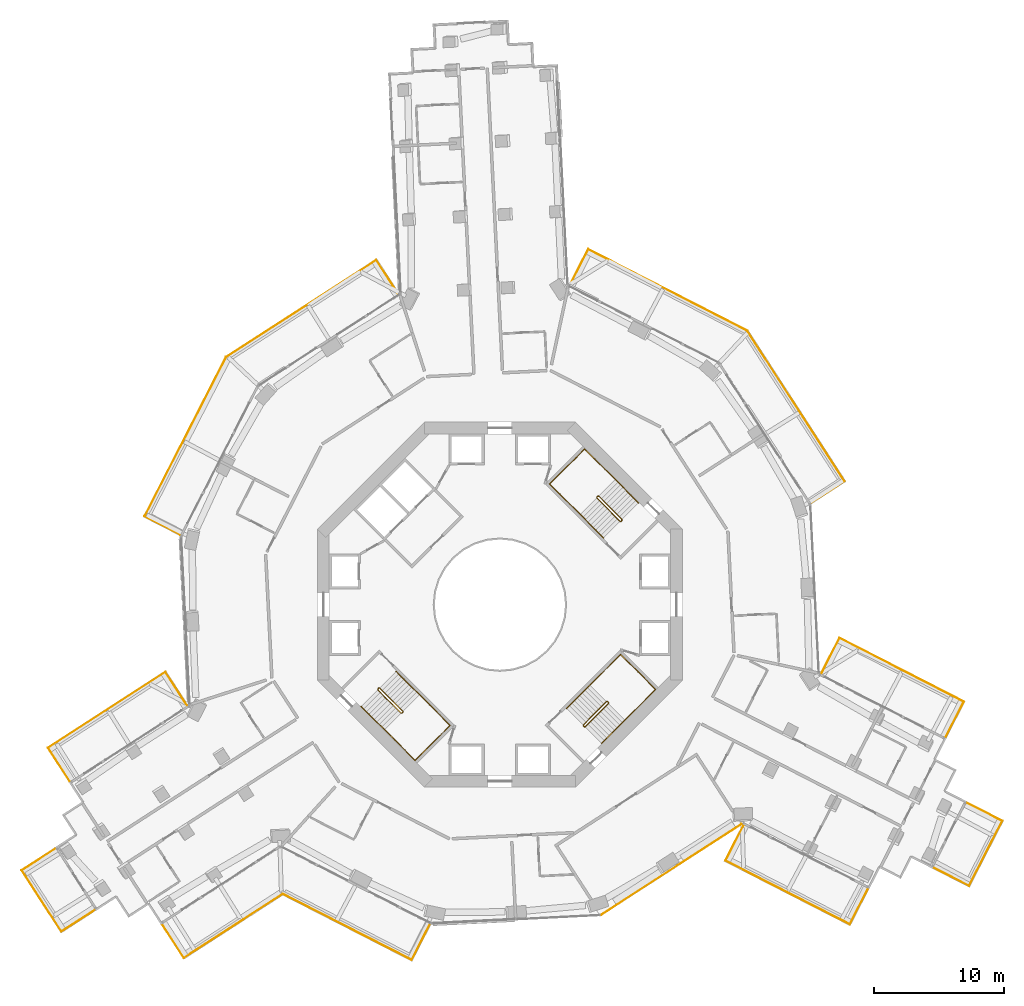
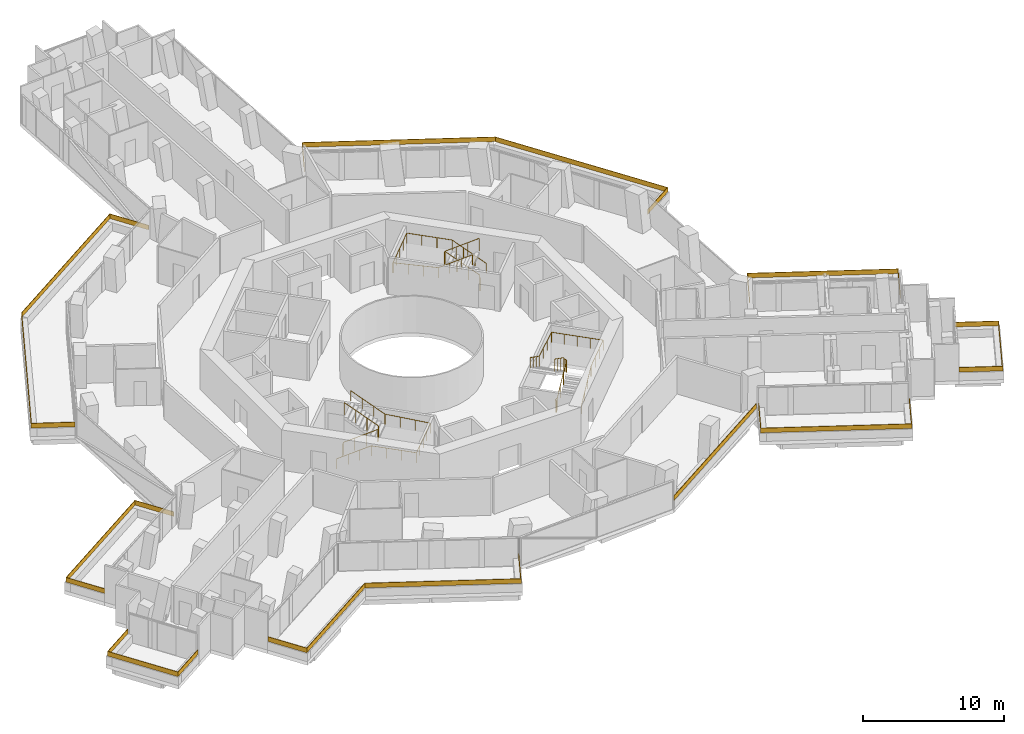
# One storey, part 25 of 25: 15 railings.
"""IFC4 building model written with IfcOpenShell, lengths in metres."""

from ifc_helpers import new_model, si_unit, direction, frame, origin, origin_2d, place, context, subcontext, project, spatial, polyline, rectangle, circle, outline, extrude, material, layer, layer_set, type_object, element, save


model = new_model("IFC4")

# Units and contexts
model_context = context("Model", 3, precision=1e-05, world=origin(), true_north=direction((0.0, 1.0)))
body_context = subcontext(model_context, "Body", "Model", "MODEL_VIEW")
ifc_project = project(units=[si_unit("LENGTHUNIT", "METRE"), si_unit("AREAUNIT", "SQUARE_METRE"), si_unit("VOLUMEUNIT", "CUBIC_METRE"), si_unit("PLANEANGLEUNIT", "RADIAN"), si_unit("MASSUNIT", "GRAM", prefix="KILO")], contexts=[model_context])

# Site, building, storey
site_placement = place(None, origin())
site = spatial("IfcSite", under=ifc_project, at=site_placement, CompositionType="ELEMENT")
building_placement = place(site_placement, origin())
building = spatial("IfcBuilding", under=site, at=building_placement, Name="Verdalira Terraces Hotel", CompositionType="ELEMENT")
storey_placement = place(building_placement, frame((0.0, 0.0, 46.0)))
storey = spatial("IfcBuildingStorey", under=building, at=storey_placement, Name="L09", CompositionType="ELEMENT", Elevation=46.0)

# Railings
ifc_material_1 = material(Name="Laminated glass", Category="glass")
ifc_layer = layer(ifc_material_1, 0.0400390625)
ifc_layer_set = layer_set([ifc_layer], Name="Balcony glass guard 400")
railing_type_1 = type_object("IfcRailingType", Name="Balcony glass guard 400", PredefinedType="GUARDRAIL", material=ifc_layer_set)
railing_1_placement = place(storey_placement, frame((0.0, 0.0, 0.699951)))
element("IfcRailing", 1, at=railing_1_placement, inside=storey, type_object=railing_type_1, Name="Balcony glass guard", PredefinedType="GUARDRAIL", context=body_context, shape_type="SweptSolid", body=[
    extrude(outline(polyline([(-9.483398, 26.422607), (-20.993408, 18.982178), (-27.240967, 6.783691), (-24.500488, 5.380127), (-24.518799, 5.344727), (-27.294678, 6.766357), (-21.023926, 19.01001), (-9.47168, 26.477783), (-7.77832, 23.858398), (-7.812012, 23.836914), (-9.483398, 26.422607)])), origin(), (0.0, 0.0, 1.0), 0.400146),
])
railing_2_placement = place(storey_placement, frame((0.0, 0.0, 0.699951)))
element("IfcRailing", 2, at=railing_2_placement, inside=storey, type_object=railing_type_1, Name="Balcony glass guard", PredefinedType="GUARDRAIL", context=body_context, shape_type="SweptSolid", body=[
    extrude(outline(polyline([(-25.674072, -5.189209), (-34.643311, -10.987305), (-32.97168, -13.572998), (-33.005371, -13.594727), (-34.698486, -10.975342), (-25.662109, -5.133789), (-23.96875, -7.753174), (-24.002441, -7.774902), (-25.674072, -5.189209)])), origin(), (0.0, 0.0, 1.0), 0.400146),
])
railing_3_placement = place(storey_placement, frame((0.0, 0.0, 0.699951)))
element("IfcRailing", 3, at=railing_3_placement, inside=storey, type_object=railing_type_1, Name="Balcony glass guard", PredefinedType="GUARDRAIL", context=body_context, shape_type="SweptSolid", body=[
    extrude(outline(polyline([(-36.662354, -20.389648), (-33.644043, -25.058838), (-31.058105, -23.387451), (-31.036377, -23.420898), (-33.655762, -25.114258), (-36.717773, -20.377686), (-34.098389, -18.684326), (-34.07666, -18.718018), (-36.662354, -20.389648)])), origin(), (0.0, 0.0, 1.0), 0.400146),
])
railing_4_placement = place(storey_placement, frame((0.0, 0.0, 0.699951)))
element("IfcRailing", 4, at=railing_4_placement, inside=storey, type_object=railing_type_1, Name="Balcony glass guard", PredefinedType="GUARDRAIL", context=body_context, shape_type="SweptSolid", body=[
    extrude(outline(polyline([(-24.241699, -27.077881), (-16.665039, -22.180176), (-6.783691, -27.240967), (-5.380127, -24.500488), (-5.344727, -24.518799), (-6.766357, -27.294678), (-16.662598, -22.226318), (-24.253662, -27.133301), (-25.946777, -24.513916), (-25.913086, -24.492188), (-24.241699, -27.077881)])), origin(), (0.0, 0.0, 1.0), 0.400146),
])
railing_5_placement = place(storey_placement, frame((0.0, 0.0, 0.699951)))
element("IfcRailing", 5, at=railing_5_placement, inside=storey, type_object=railing_type_1, Name="Balcony glass guard", PredefinedType="GUARDRAIL", context=body_context, shape_type="SweptSolid", body=[
    extrude(outline(polyline([(17.330811, -19.639648), (26.836914, -24.508301), (28.240479, -21.767822), (28.276123, -21.786133), (26.854248, -24.562256), (17.2771, -19.656982), (18.698975, -16.881104), (18.734619, -16.89917), (17.330811, -19.639648)])), origin(), (0.0, 0.0, 1.0), 0.400146),
])
railing_6_placement = place(storey_placement, frame((0.0, 0.0, 0.699951)))
element("IfcRailing", 6, at=railing_6_placement, inside=storey, type_object=railing_type_1, Name="Balcony glass guard", PredefinedType="GUARDRAIL", context=body_context, shape_type="SweptSolid", body=[
    extrude(outline(polyline([(35.989014, -21.555908), (38.523682, -16.607178), (35.783203, -15.203613), (35.80127, -15.167969), (38.577393, -16.589844), (36.006348, -21.609619), (33.230225, -20.187744), (33.248535, -20.1521), (35.989014, -21.555908)])), origin(), (0.0, 0.0, 1.0), 0.400146),
])
railing_7_placement = place(storey_placement, frame((0.0, 0.0, 0.699951)))
element("IfcRailing", 7, at=railing_7_placement, inside=storey, type_object=railing_type_1, Name="Balcony glass guard", PredefinedType="GUARDRAIL", context=body_context, shape_type="SweptSolid", body=[
    extrude(outline(polyline([(35.571045, -7.454834), (26.065186, -2.586182), (24.661621, -5.32666), (24.625977, -5.308594), (26.047852, -2.532471), (35.625, -7.4375), (34.203125, -10.213623), (34.16748, -10.195312), (35.571045, -7.454834)])), origin(), (0.0, 0.0, 1.0), 0.400146),
])
railing_8_placement = place(storey_placement, frame((0.0, 0.0, 0.699951)))
element("IfcRailing", 8, at=railing_8_placement, inside=storey, type_object=railing_type_1, Name="Balcony glass guard", PredefinedType="GUARDRAIL", context=body_context, shape_type="SweptSolid", body=[
    extrude(outline(polyline([(26.422607, 9.483398), (18.982178, 20.993408), (6.783691, 27.240967), (5.380127, 24.500488), (5.344727, 24.518799), (6.766357, 27.294678), (19.01001, 21.023926), (26.477783, 9.47168), (23.858398, 7.77832), (23.836914, 7.812012), (26.422607, 9.483398)])), origin(), (0.0, 0.0, 1.0), 0.400146),
])
railing_9_placement = place(storey_placement, frame((13.142334, -20.330322, 0.699951), z_axis=(0.0, 0.0, 1.0), x_axis=(0.839809417, 0.542881334, 0.0)))
element("IfcRailing", 9, at=railing_9_placement, inside=storey, type_object=railing_type_1, Name="Loggia glass guard", PredefinedType="GUARDRAIL", context=body_context, shape_type="SweptSolid", body=[
    extrude(rectangle(XDim=12.840088, YDim=0.040039, at=origin_2d()), origin(), (0.0, 0.0, 1.0), 0.399902),
])
ifc_material_2 = material(Name="Stainless steel", Category="steel")
railing_type_2 = type_object("IfcRailingType", Name="Stair guard 1100", PredefinedType="GUARDRAIL", material=ifc_material_2)
railing_10_placement = place(storey_placement, frame((9.369141, 6.469971, 0.0)))
element("IfcRailing", 10, at=railing_10_placement, inside=storey, type_object=railing_type_2, Name="L09 ST1 stair guard 1", PredefinedType="GUARDRAIL", context=body_context, shape_type="SweptSolid", body=[
    extrude(circle(Radius=0.023926, at=origin_2d()), frame((0.0, 0.0, 1.076172), z_axis=(-0.70832698, -0.705884473, 0.0), x_axis=(0.705884473, -0.70832698, 0.0)), (0.0, 0.0, 1.0), 0.099854),
    extrude(circle(Radius=0.023926, at=origin_2d()), frame((-0.070801, -0.070557, 1.076172), z_axis=(0.300162975, 0.599290904, 0.742127078), x_axis=(-0.894118129, 0.447831187, 0.0)), (0.0, 0.0, 1.0), 0.23584),
    extrude(circle(Radius=0.023926, at=origin_2d()), frame((0.0, 0.070801, 1.250977), z_axis=(-0.599637504, 0.599637504, 0.52997144), x_axis=(-0.707106781, -0.707106781, 0.0)), (0.0, 0.0, 1.0), 2.97168),
    extrude(circle(Radius=0.023926, at=origin_2d()), frame((-1.781982, 1.852783, 2.826172), z_axis=(-1.0, 0.0, 0.0), x_axis=(0.0, -1.0, 0.0)), (0.0, 0.0, 1.0), 0.070557),
    extrude(circle(Radius=0.023926, at=origin_2d()), frame((-1.852539, 1.852783, 2.826172), z_axis=(-0.707106781, -0.707106781, 0.0), x_axis=(0.707106781, -0.707106781, 0.0)), (0.0, 0.0, 1.0), 0.100098),
    extrude(circle(Radius=0.023926, at=origin_2d()), frame((-1.92334, 1.781982, 2.826172), z_axis=(0.0, -0.374954687, 0.92704314), x_axis=(1.0, 0.0, 0.0)), (0.0, 0.0, 1.0), 0.188721),
    extrude(circle(Radius=0.023926, at=origin_2d()), frame((-1.92334, 1.711182, 3.000977), z_axis=(0.599667044, -0.599584886, 0.529997548), x_axis=(0.707058338, 0.707155221, 0.0)), (0.0, 0.0, 1.0), 2.97168),
    extrude(circle(Radius=0.020996, at=origin_2d()), origin(), (0.0, 0.0, 1.0), 1.052002),
    extrude(circle(Radius=0.020996, at=origin_2d()), frame((-0.070801, -0.070557, 0.0)), (0.0, 0.0, 1.0), 1.052002),
    extrude(circle(Radius=0.020996, at=origin_2d()), frame((0.0, 0.070801, 0.175049)), (0.0, 0.0, 1.0), 1.052002),
    extrude(circle(Radius=0.020996, at=origin_2d()), frame((-0.593994, 0.664795, 0.699951)), (0.0, 0.0, 1.0), 1.052002),
    extrude(circle(Radius=0.020996, at=origin_2d()), frame((-1.187988, 1.258789, 1.225098)), (0.0, 0.0, 1.0), 1.052002),
    extrude(circle(Radius=0.020996, at=origin_2d()), frame((-1.781982, 1.852783, 1.75)), (0.0, 0.0, 1.0), 1.052002),
    extrude(circle(Radius=0.020996, at=origin_2d()), frame((-1.852539, 1.852783, 1.75)), (0.0, 0.0, 1.0), 1.052002),
    extrude(circle(Radius=0.020996, at=origin_2d()), frame((-1.92334, 1.781982, 1.75)), (0.0, 0.0, 1.0), 1.052002),
    extrude(circle(Radius=0.020996, at=origin_2d()), frame((-1.92334, 1.711182, 1.925049)), (0.0, 0.0, 1.0), 1.052002),
    extrude(circle(Radius=0.020996, at=origin_2d()), frame((-1.329346, 1.117188, 2.449951)), (0.0, 0.0, 1.0), 1.052002),
    extrude(circle(Radius=0.020996, at=origin_2d()), frame((-0.735352, 0.523438, 2.975098)), (0.0, 0.0, 1.0), 1.052002),
    extrude(circle(Radius=0.020996, at=origin_2d()), frame((-0.141357, -0.070557, 3.5)), (0.0, 0.0, 1.0), 1.052002),
])
railing_11_placement = place(storey_placement, frame((-9.369141, -6.469971, 0.0)))
element("IfcRailing", 11, at=railing_11_placement, inside=storey, type_object=railing_type_2, Name="L09 ST2 stair guard 1", PredefinedType="GUARDRAIL", context=body_context, shape_type="SweptSolid", body=[
    extrude(circle(Radius=0.023926, at=origin_2d()), frame((0.0, 0.0, 1.076172), z_axis=(0.70832698, 0.705884473, 0.0), x_axis=(-0.705884473, 0.70832698, 0.0)), (0.0, 0.0, 1.0), 0.099854),
    extrude(circle(Radius=0.023926, at=origin_2d()), frame((0.070801, 0.070557, 1.076172), z_axis=(-0.300162975, -0.599290904, 0.742127078), x_axis=(0.894118129, -0.447831187, 0.0)), (0.0, 0.0, 1.0), 0.23584),
    extrude(circle(Radius=0.023926, at=origin_2d()), frame((0.0, -0.070801, 1.250977), z_axis=(0.599637504, -0.599637504, 0.52997144), x_axis=(0.707106781, 0.707106781, 0.0)), (0.0, 0.0, 1.0), 2.97168),
    extrude(circle(Radius=0.023926, at=origin_2d()), frame((1.781982, -1.852783, 2.826172), z_axis=(1.0, 0.0, 0.0), x_axis=(0.0, 1.0, 0.0)), (0.0, 0.0, 1.0), 0.070557),
    extrude(circle(Radius=0.023926, at=origin_2d()), frame((1.852539, -1.852783, 2.826172), z_axis=(0.707106781, 0.707106781, 0.0), x_axis=(-0.707106781, 0.707106781, 0.0)), (0.0, 0.0, 1.0), 0.100098),
    extrude(circle(Radius=0.023926, at=origin_2d()), frame((1.92334, -1.781982, 2.826172), z_axis=(0.0, 0.374954687, 0.92704314), x_axis=(-1.0, 0.0, 0.0)), (0.0, 0.0, 1.0), 0.188721),
    extrude(circle(Radius=0.023926, at=origin_2d()), frame((1.92334, -1.711182, 3.000977), z_axis=(-0.599667044, 0.599584886, 0.529997548), x_axis=(-0.707058338, -0.707155221, 0.0)), (0.0, 0.0, 1.0), 2.97168),
    extrude(circle(Radius=0.020996, at=origin_2d()), origin(), (0.0, 0.0, 1.0), 1.052002),
    extrude(circle(Radius=0.020996, at=origin_2d()), frame((0.070801, 0.070557, 0.0)), (0.0, 0.0, 1.0), 1.052002),
    extrude(circle(Radius=0.020996, at=origin_2d()), frame((0.0, -0.070801, 0.175049)), (0.0, 0.0, 1.0), 1.052002),
    extrude(circle(Radius=0.020996, at=origin_2d()), frame((0.593994, -0.664795, 0.699951)), (0.0, 0.0, 1.0), 1.052002),
    extrude(circle(Radius=0.020996, at=origin_2d()), frame((1.187988, -1.258789, 1.225098)), (0.0, 0.0, 1.0), 1.052002),
    extrude(circle(Radius=0.020996, at=origin_2d()), frame((1.781982, -1.852783, 1.75)), (0.0, 0.0, 1.0), 1.052002),
    extrude(circle(Radius=0.020996, at=origin_2d()), frame((1.852539, -1.852783, 1.75)), (0.0, 0.0, 1.0), 1.052002),
    extrude(circle(Radius=0.020996, at=origin_2d()), frame((1.92334, -1.781982, 1.75)), (0.0, 0.0, 1.0), 1.052002),
    extrude(circle(Radius=0.020996, at=origin_2d()), frame((1.92334, -1.711182, 1.925049)), (0.0, 0.0, 1.0), 1.052002),
    extrude(circle(Radius=0.020996, at=origin_2d()), frame((1.329346, -1.117188, 2.449951)), (0.0, 0.0, 1.0), 1.052002),
    extrude(circle(Radius=0.020996, at=origin_2d()), frame((0.735352, -0.523438, 2.975098)), (0.0, 0.0, 1.0), 1.052002),
    extrude(circle(Radius=0.020996, at=origin_2d()), frame((0.141357, 0.070557, 3.5)), (0.0, 0.0, 1.0), 1.052002),
])
railing_12_placement = place(storey_placement, frame((6.469971, -9.369141, 0.0)))
element("IfcRailing", 12, at=railing_12_placement, inside=storey, type_object=railing_type_2, Name="L09 ST3 stair guard 1", PredefinedType="GUARDRAIL", context=body_context, shape_type="SweptSolid", body=[
    extrude(circle(Radius=0.023926, at=origin_2d()), frame((0.0, 0.0, 1.076172), z_axis=(-0.705884473, 0.70832698, 0.0), x_axis=(-0.70832698, -0.705884473, 0.0)), (0.0, 0.0, 1.0), 0.099854),
    extrude(circle(Radius=0.023926, at=origin_2d()), frame((-0.070557, 0.070801, 1.076172), z_axis=(0.599290904, -0.300162975, 0.742127078), x_axis=(0.447831187, 0.894118129, 0.0)), (0.0, 0.0, 1.0), 0.23584),
    extrude(circle(Radius=0.023926, at=origin_2d()), frame((0.070801, 0.0, 1.250977), z_axis=(0.599637504, 0.599637504, 0.52997144), x_axis=(-0.707106781, 0.707106781, 0.0)), (0.0, 0.0, 1.0), 2.97168),
    extrude(circle(Radius=0.023926, at=origin_2d()), frame((1.852783, 1.781982, 2.826172), z_axis=(0.0, 1.0, 0.0), x_axis=(-1.0, 0.0, 0.0)), (0.0, 0.0, 1.0), 0.070557),
    extrude(circle(Radius=0.023926, at=origin_2d()), frame((1.852783, 1.852539, 2.826172), z_axis=(-0.707106781, 0.707106781, 0.0), x_axis=(-0.707106781, -0.707106781, 0.0)), (0.0, 0.0, 1.0), 0.100098),
    extrude(circle(Radius=0.023926, at=origin_2d()), frame((1.781982, 1.92334, 2.826172), z_axis=(-0.374954687, 0.0, 0.92704314), x_axis=(0.0, -1.0, 0.0)), (0.0, 0.0, 1.0), 0.188721),
    extrude(circle(Radius=0.023926, at=origin_2d()), frame((1.711182, 1.92334, 3.000977), z_axis=(-0.599584886, -0.599667044, 0.529997548), x_axis=(0.707155221, -0.707058338, 0.0)), (0.0, 0.0, 1.0), 2.97168),
    extrude(circle(Radius=0.020996, at=origin_2d()), origin(), (0.0, 0.0, 1.0), 1.052002),
    extrude(circle(Radius=0.020996, at=origin_2d()), frame((-0.070557, 0.070801, 0.0)), (0.0, 0.0, 1.0), 1.052002),
    extrude(circle(Radius=0.020996, at=origin_2d()), frame((0.070801, 0.0, 0.175049)), (0.0, 0.0, 1.0), 1.052002),
    extrude(circle(Radius=0.020996, at=origin_2d()), frame((0.664795, 0.593994, 0.699951)), (0.0, 0.0, 1.0), 1.052002),
    extrude(circle(Radius=0.020996, at=origin_2d()), frame((1.258789, 1.187988, 1.225098)), (0.0, 0.0, 1.0), 1.052002),
    extrude(circle(Radius=0.020996, at=origin_2d()), frame((1.852783, 1.781982, 1.75)), (0.0, 0.0, 1.0), 1.052002),
    extrude(circle(Radius=0.020996, at=origin_2d()), frame((1.852783, 1.852539, 1.75)), (0.0, 0.0, 1.0), 1.052002),
    extrude(circle(Radius=0.020996, at=origin_2d()), frame((1.781982, 1.92334, 1.75)), (0.0, 0.0, 1.0), 1.052002),
    extrude(circle(Radius=0.020996, at=origin_2d()), frame((1.711182, 1.92334, 1.925049)), (0.0, 0.0, 1.0), 1.052002),
    extrude(circle(Radius=0.020996, at=origin_2d()), frame((1.117188, 1.329346, 2.449951)), (0.0, 0.0, 1.0), 1.052002),
    extrude(circle(Radius=0.020996, at=origin_2d()), frame((0.523438, 0.735352, 2.975098)), (0.0, 0.0, 1.0), 1.052002),
    extrude(circle(Radius=0.020996, at=origin_2d()), frame((-0.070557, 0.141357, 3.5)), (0.0, 0.0, 1.0), 1.052002),
])
ifc_material_3 = material(Name="Stainless steel", Category="steel")
railing_type_3 = type_object("IfcRailingType", Name="Stair handrail 900", PredefinedType="HANDRAIL", material=ifc_material_3)
railing_13_placement = place(storey_placement, frame((10.641846, 7.813477, 0.175049)))
element("IfcRailing", 13, at=railing_13_placement, inside=storey, type_object=railing_type_3, Name="L09 ST1 stair handrail 1", PredefinedType="HANDRAIL", context=body_context, shape_type="SweptSolid", body=[
    extrude(circle(Radius=0.023926, at=origin_2d()), frame((0.0, 0.0, 0.875977), z_axis=(-0.599584886, 0.599667044, 0.529997548), x_axis=(-0.707155221, -0.707058338, 0.0)), (0.0, 0.0, 1.0), 2.97168),
    extrude(circle(Radius=0.023926, at=origin_2d()), frame((-1.781738, 1.781982, 2.450684), z_axis=(-0.707106781, 0.707106781, 0.0), x_axis=(-0.707106781, -0.707106781, 0.0)), (0.0, 0.0, 1.0), 3.330078),
    extrude(circle(Radius=0.023926, at=origin_2d()), frame((-4.136475, 4.136719, 2.450684), z_axis=(-0.707106781, -0.707106781, 0.0), x_axis=(0.707106781, -0.707106781, 0.0)), (0.0, 0.0, 1.0), 3.800049),
    extrude(circle(Radius=0.023926, at=origin_2d()), frame((-6.823486, 1.449707, 2.450684), z_axis=(0.706131881, -0.706131881, 0.052493163), x_axis=(0.707106781, 0.707106781, 0.0)), (0.0, 0.0, 1.0), 3.334717),
    extrude(circle(Radius=0.023926, at=origin_2d()), frame((-4.46875, -0.905029, 2.625977), z_axis=(0.599584886, -0.599667044, 0.529997548), x_axis=(0.707155221, 0.707058338, 0.0)), (0.0, 0.0, 1.0), 2.97168),
    extrude(circle(Radius=0.020996, at=origin_2d()), origin(), (0.0, 0.0, 1.0), 0.851807),
    extrude(circle(Radius=0.020996, at=origin_2d()), frame((-0.593994, 0.593994, 0.524902)), (0.0, 0.0, 1.0), 0.851807),
    extrude(circle(Radius=0.020996, at=origin_2d()), frame((-1.187744, 1.187988, 1.050049)), (0.0, 0.0, 1.0), 0.851807),
    extrude(circle(Radius=0.020996, at=origin_2d()), frame((-1.781738, 1.781982, 1.574951)), (0.0, 0.0, 1.0), 0.851807),
    extrude(circle(Radius=0.020996, at=origin_2d()), frame((-2.56665, 2.566895, 1.574951)), (0.0, 0.0, 1.0), 0.851807),
    extrude(circle(Radius=0.020996, at=origin_2d()), frame((-3.351562, 3.351807, 1.574951)), (0.0, 0.0, 1.0), 0.851807),
    extrude(circle(Radius=0.020996, at=origin_2d()), frame((-4.136475, 4.136719, 1.574951)), (0.0, 0.0, 1.0), 0.851807),
    extrude(circle(Radius=0.020996, at=origin_2d()), frame((-4.808105, 3.464844, 1.574951)), (0.0, 0.0, 1.0), 0.851807),
    extrude(circle(Radius=0.020996, at=origin_2d()), frame((-5.47998, 2.793213, 1.574951)), (0.0, 0.0, 1.0), 0.851807),
    extrude(circle(Radius=0.020996, at=origin_2d()), frame((-6.151855, 2.121582, 1.574951)), (0.0, 0.0, 1.0), 0.851807),
    extrude(circle(Radius=0.020996, at=origin_2d()), frame((-6.823486, 1.449707, 1.574951)), (0.0, 0.0, 1.0), 0.851807),
    extrude(circle(Radius=0.020996, at=origin_2d()), frame((-6.038574, 0.664795, 1.633301)), (0.0, 0.0, 1.0), 0.851807),
    extrude(circle(Radius=0.020996, at=origin_2d()), frame((-5.253662, -0.120117, 1.69165)), (0.0, 0.0, 1.0), 0.851807),
    extrude(circle(Radius=0.020996, at=origin_2d()), frame((-4.46875, -0.905029, 1.75)), (0.0, 0.0, 1.0), 0.851807),
    extrude(circle(Radius=0.020996, at=origin_2d()), frame((-3.874756, -1.499023, 2.274902)), (0.0, 0.0, 1.0), 0.851807),
    extrude(circle(Radius=0.020996, at=origin_2d()), frame((-3.281006, -2.093018, 2.800049)), (0.0, 0.0, 1.0), 0.851807),
    extrude(circle(Radius=0.020996, at=origin_2d()), frame((-2.687012, -2.687012, 3.324951)), (0.0, 0.0, 1.0), 0.851807),
])
railing_14_placement = place(storey_placement, frame((-10.641846, -7.813477, 0.175049)))
element("IfcRailing", 14, at=railing_14_placement, inside=storey, type_object=railing_type_3, Name="L09 ST2 stair handrail 1", PredefinedType="HANDRAIL", context=body_context, shape_type="SweptSolid", body=[
    extrude(circle(Radius=0.023926, at=origin_2d()), frame((0.0, 0.0, 0.875977), z_axis=(0.599584886, -0.599667044, 0.529997548), x_axis=(0.707155221, 0.707058338, 0.0)), (0.0, 0.0, 1.0), 2.97168),
    extrude(circle(Radius=0.023926, at=origin_2d()), frame((1.781738, -1.781982, 2.450684), z_axis=(0.707106781, -0.707106781, 0.0), x_axis=(0.707106781, 0.707106781, 0.0)), (0.0, 0.0, 1.0), 3.330078),
    extrude(circle(Radius=0.023926, at=origin_2d()), frame((4.136475, -4.136719, 2.450684), z_axis=(0.707106781, 0.707106781, 0.0), x_axis=(-0.707106781, 0.707106781, 0.0)), (0.0, 0.0, 1.0), 3.800049),
    extrude(circle(Radius=0.023926, at=origin_2d()), frame((6.823486, -1.449707, 2.450684), z_axis=(-0.706131881, 0.706131881, 0.052493163), x_axis=(-0.707106781, -0.707106781, 0.0)), (0.0, 0.0, 1.0), 3.334717),
    extrude(circle(Radius=0.023926, at=origin_2d()), frame((4.46875, 0.905029, 2.625977), z_axis=(-0.599584886, 0.599667044, 0.529997548), x_axis=(-0.707155221, -0.707058338, 0.0)), (0.0, 0.0, 1.0), 2.97168),
    extrude(circle(Radius=0.020996, at=origin_2d()), origin(), (0.0, 0.0, 1.0), 0.851807),
    extrude(circle(Radius=0.020996, at=origin_2d()), frame((0.593994, -0.593994, 0.524902)), (0.0, 0.0, 1.0), 0.851807),
    extrude(circle(Radius=0.020996, at=origin_2d()), frame((1.187744, -1.187988, 1.050049)), (0.0, 0.0, 1.0), 0.851807),
    extrude(circle(Radius=0.020996, at=origin_2d()), frame((1.781738, -1.781982, 1.574951)), (0.0, 0.0, 1.0), 0.851807),
    extrude(circle(Radius=0.020996, at=origin_2d()), frame((2.56665, -2.566895, 1.574951)), (0.0, 0.0, 1.0), 0.851807),
    extrude(circle(Radius=0.020996, at=origin_2d()), frame((3.351562, -3.351807, 1.574951)), (0.0, 0.0, 1.0), 0.851807),
    extrude(circle(Radius=0.020996, at=origin_2d()), frame((4.136475, -4.136719, 1.574951)), (0.0, 0.0, 1.0), 0.851807),
    extrude(circle(Radius=0.020996, at=origin_2d()), frame((4.808105, -3.464844, 1.574951)), (0.0, 0.0, 1.0), 0.851807),
    extrude(circle(Radius=0.020996, at=origin_2d()), frame((5.47998, -2.793213, 1.574951)), (0.0, 0.0, 1.0), 0.851807),
    extrude(circle(Radius=0.020996, at=origin_2d()), frame((6.151855, -2.121582, 1.574951)), (0.0, 0.0, 1.0), 0.851807),
    extrude(circle(Radius=0.020996, at=origin_2d()), frame((6.823486, -1.449707, 1.574951)), (0.0, 0.0, 1.0), 0.851807),
    extrude(circle(Radius=0.020996, at=origin_2d()), frame((6.038574, -0.664795, 1.633301)), (0.0, 0.0, 1.0), 0.851807),
    extrude(circle(Radius=0.020996, at=origin_2d()), frame((5.253662, 0.120117, 1.69165)), (0.0, 0.0, 1.0), 0.851807),
    extrude(circle(Radius=0.020996, at=origin_2d()), frame((4.46875, 0.905029, 1.75)), (0.0, 0.0, 1.0), 0.851807),
    extrude(circle(Radius=0.020996, at=origin_2d()), frame((3.874756, 1.499023, 2.274902)), (0.0, 0.0, 1.0), 0.851807),
    extrude(circle(Radius=0.020996, at=origin_2d()), frame((3.281006, 2.093018, 2.800049)), (0.0, 0.0, 1.0), 0.851807),
    extrude(circle(Radius=0.020996, at=origin_2d()), frame((2.687012, 2.687012, 3.324951)), (0.0, 0.0, 1.0), 0.851807),
])
railing_15_placement = place(storey_placement, frame((7.813477, -10.641846, 0.175049)))
element("IfcRailing", 15, at=railing_15_placement, inside=storey, type_object=railing_type_3, Name="L09 ST3 stair handrail 1", PredefinedType="HANDRAIL", context=body_context, shape_type="SweptSolid", body=[
    extrude(circle(Radius=0.023926, at=origin_2d()), frame((0.0, 0.0, 0.875977), z_axis=(0.599667044, 0.599584886, 0.529997548), x_axis=(-0.707058338, 0.707155221, 0.0)), (0.0, 0.0, 1.0), 2.97168),
    extrude(circle(Radius=0.023926, at=origin_2d()), frame((1.781982, 1.781738, 2.450684), z_axis=(0.707106781, 0.707106781, 0.0), x_axis=(-0.707106781, 0.707106781, 0.0)), (0.0, 0.0, 1.0), 3.330078),
    extrude(circle(Radius=0.023926, at=origin_2d()), frame((4.136719, 4.136475, 2.450684), z_axis=(-0.707106781, 0.707106781, 0.0), x_axis=(-0.707106781, -0.707106781, 0.0)), (0.0, 0.0, 1.0), 3.800049),
    extrude(circle(Radius=0.023926, at=origin_2d()), frame((1.449707, 6.823486, 2.450684), z_axis=(-0.706131881, -0.706131881, 0.052493163), x_axis=(0.707106781, -0.707106781, 0.0)), (0.0, 0.0, 1.0), 3.334717),
    extrude(circle(Radius=0.023926, at=origin_2d()), frame((-0.905029, 4.46875, 2.625977), z_axis=(-0.599667044, -0.599584886, 0.529997548), x_axis=(0.707058338, -0.707155221, 0.0)), (0.0, 0.0, 1.0), 2.97168),
    extrude(circle(Radius=0.020996, at=origin_2d()), origin(), (0.0, 0.0, 1.0), 0.851807),
    extrude(circle(Radius=0.020996, at=origin_2d()), frame((0.593994, 0.593994, 0.524902)), (0.0, 0.0, 1.0), 0.851807),
    extrude(circle(Radius=0.020996, at=origin_2d()), frame((1.187988, 1.187744, 1.050049)), (0.0, 0.0, 1.0), 0.851807),
    extrude(circle(Radius=0.020996, at=origin_2d()), frame((1.781982, 1.781738, 1.574951)), (0.0, 0.0, 1.0), 0.851807),
    extrude(circle(Radius=0.020996, at=origin_2d()), frame((2.566895, 2.56665, 1.574951)), (0.0, 0.0, 1.0), 0.851807),
    extrude(circle(Radius=0.020996, at=origin_2d()), frame((3.351807, 3.351562, 1.574951)), (0.0, 0.0, 1.0), 0.851807),
    extrude(circle(Radius=0.020996, at=origin_2d()), frame((4.136719, 4.136475, 1.574951)), (0.0, 0.0, 1.0), 0.851807),
    extrude(circle(Radius=0.020996, at=origin_2d()), frame((3.464844, 4.808105, 1.574951)), (0.0, 0.0, 1.0), 0.851807),
    extrude(circle(Radius=0.020996, at=origin_2d()), frame((2.793213, 5.47998, 1.574951)), (0.0, 0.0, 1.0), 0.851807),
    extrude(circle(Radius=0.020996, at=origin_2d()), frame((2.121582, 6.151855, 1.574951)), (0.0, 0.0, 1.0), 0.851807),
    extrude(circle(Radius=0.020996, at=origin_2d()), frame((1.449707, 6.823486, 1.574951)), (0.0, 0.0, 1.0), 0.851807),
    extrude(circle(Radius=0.020996, at=origin_2d()), frame((0.664795, 6.038574, 1.633301)), (0.0, 0.0, 1.0), 0.851807),
    extrude(circle(Radius=0.020996, at=origin_2d()), frame((-0.120117, 5.253662, 1.69165)), (0.0, 0.0, 1.0), 0.851807),
    extrude(circle(Radius=0.020996, at=origin_2d()), frame((-0.905029, 4.46875, 1.75)), (0.0, 0.0, 1.0), 0.851807),
    extrude(circle(Radius=0.020996, at=origin_2d()), frame((-1.499023, 3.874756, 2.274902)), (0.0, 0.0, 1.0), 0.851807),
    extrude(circle(Radius=0.020996, at=origin_2d()), frame((-2.093018, 3.281006, 2.800049)), (0.0, 0.0, 1.0), 0.851807),
    extrude(circle(Radius=0.020996, at=origin_2d()), frame((-2.687012, 2.687012, 3.324951)), (0.0, 0.0, 1.0), 0.851807),
])

save(model, "model.ifc")
